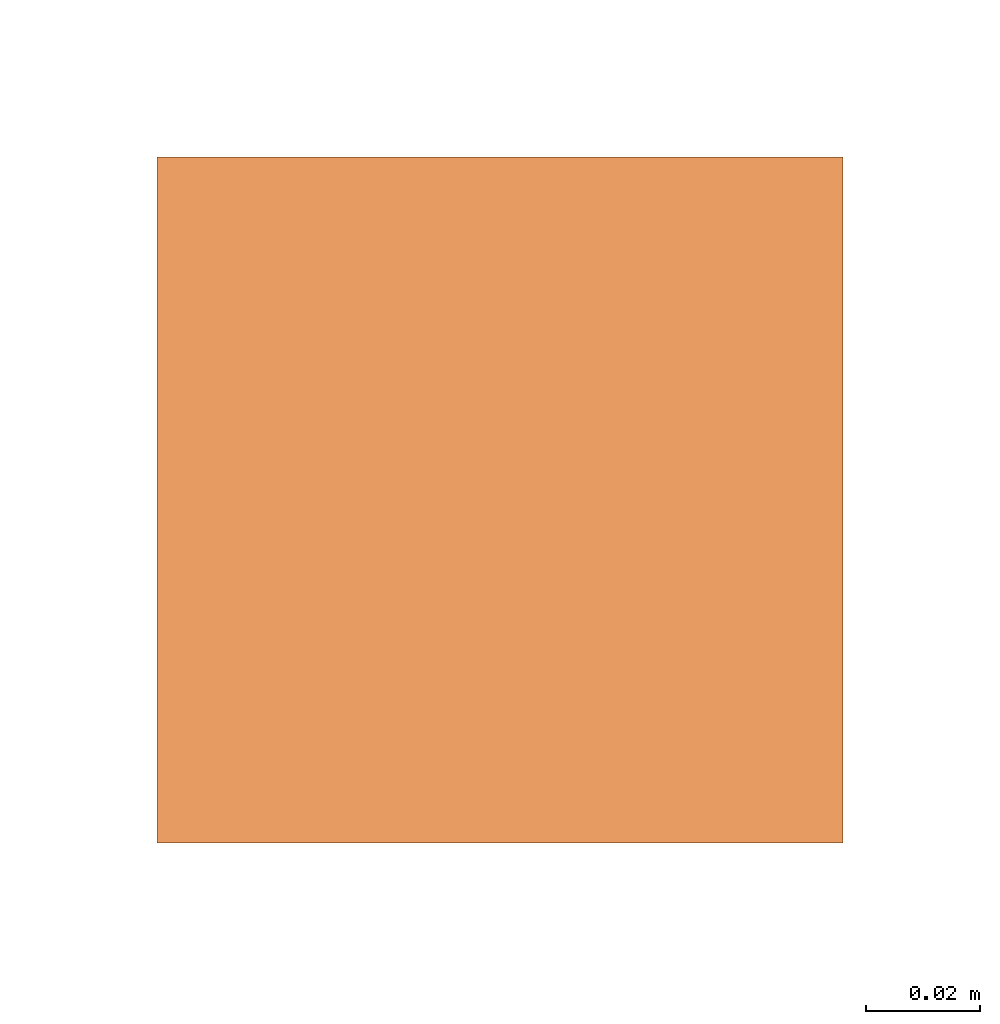
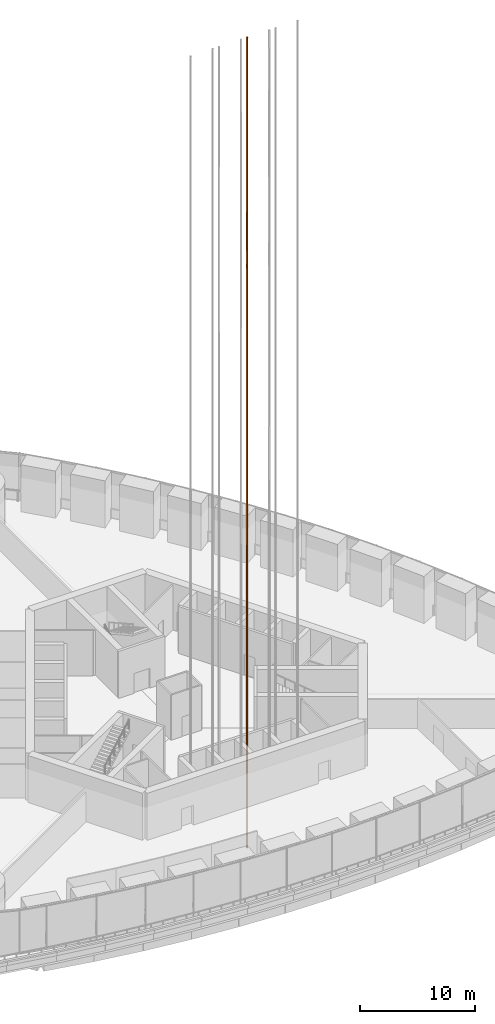
# One storey, part 30 of 33: 1 proxy.
"""IFC4 building model written with IfcOpenShell, lengths in metres."""

from ifc_helpers import new_model, si_unit, direction, frame, origin, origin_2d, place, context, subcontext, project, spatial, rectangle, extrude, element, save


model = new_model("IFC4")

# Units and contexts
model_context = context("Model", 3, precision=1e-05, world=origin(), true_north=direction((0.0, 1.0)))
body_context = subcontext(model_context, "Body", "Model", "MODEL_VIEW")
ifc_project = project(units=[si_unit("LENGTHUNIT", "METRE"), si_unit("AREAUNIT", "SQUARE_METRE"), si_unit("VOLUMEUNIT", "CUBIC_METRE"), si_unit("PLANEANGLEUNIT", "RADIAN"), si_unit("MASSUNIT", "GRAM", prefix="KILO")], contexts=[model_context])

# Site, building, storey
site_placement = place(None, origin())
site = spatial("IfcSite", under=ifc_project, at=site_placement, CompositionType="ELEMENT")
building_placement = place(site_placement, origin())
building = spatial("IfcBuilding", under=site, at=building_placement, Name="Trefoil Bronze Tower", CompositionType="ELEMENT")
storey_placement = place(building_placement, frame((0.0, 0.0, 98.10009765625)))
storey = spatial("IfcBuildingStorey", under=building, at=storey_placement, Name="L22", CompositionType="ELEMENT", Elevation=98.10009765625)

# Proxy
proxy_placement = place(storey_placement, frame((0.31494140625, -11.3125, -6.0), z_axis=(0.0, 0.0, 1.0), x_axis=(1.0, 0.0, 0.0)))
element("IfcBuildingElementProxy", 1, at=proxy_placement, inside=storey, Name="Lift P23 guide rail 1", ObjectType="LIFT GUIDE RAIL", PredefinedType="USERDEFINED", context=body_context, shape_type="SweptSolid", body=[
    extrude(rectangle(XDim=0.1201171875, YDim=0.1201171875, at=origin_2d()), origin(), (0.0, 0.0, 1.0), 86.25),
])

save(model, "model.ifc")
